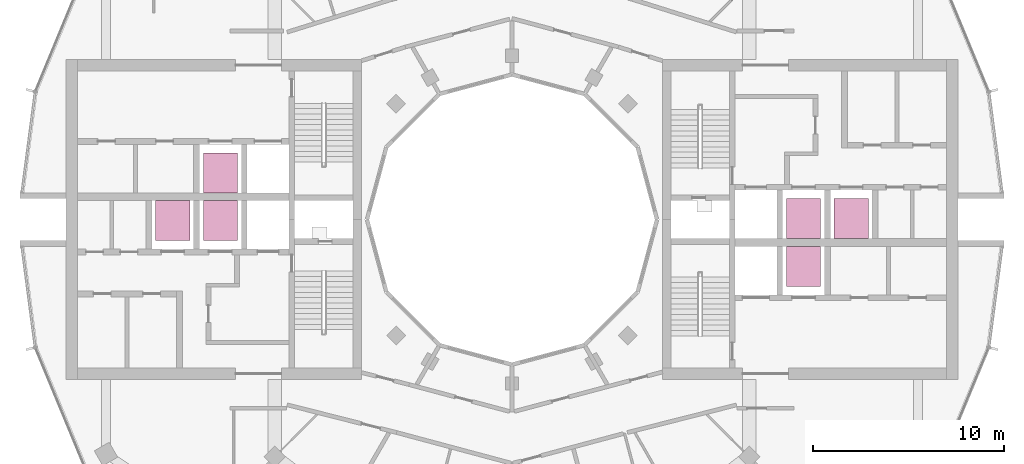
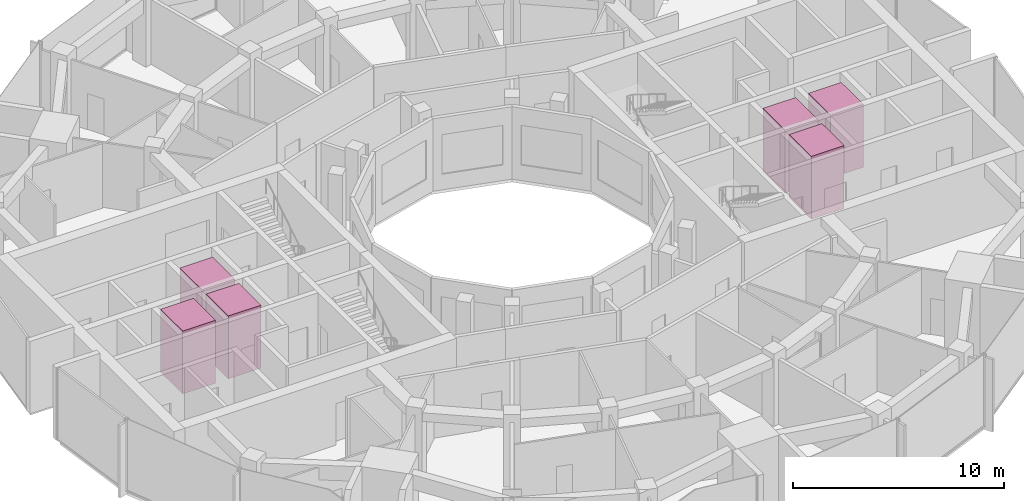
# One storey, part 15 of 15: 6 transport elements.
"""IFC4 building model written with IfcOpenShell, lengths in metres."""

from ifc_helpers import new_model, si_unit, direction, frame, origin, origin_2d, place, context, subcontext, project, spatial, rectangle, extrude, material, type_object, element, save


model = new_model("IFC4")

# Units and contexts
model_context = context("Model", 3, precision=1e-05, world=origin(), true_north=direction((0.0, 1.0)))
body_context = subcontext(model_context, "Body", "Model", "MODEL_VIEW")
ifc_project = project(units=[si_unit("LENGTHUNIT", "METRE"), si_unit("AREAUNIT", "SQUARE_METRE"), si_unit("VOLUMEUNIT", "CUBIC_METRE"), si_unit("PLANEANGLEUNIT", "RADIAN"), si_unit("MASSUNIT", "GRAM", prefix="KILO")], contexts=[model_context])

# Site, building, storey
site_placement = place(None, origin())
site = spatial("IfcSite", under=ifc_project, at=site_placement, CompositionType="ELEMENT")
building_placement = place(site_placement, origin())
building = spatial("IfcBuilding", under=site, at=building_placement, Name="Torre Brocal", CompositionType="ELEMENT")
storey_placement = place(building_placement, frame((0.0, 0.0, 241.5)))
storey = spatial("IfcBuildingStorey", under=building, at=storey_placement, Name="L55", CompositionType="ELEMENT", Elevation=241.5)

# Transport elements
ifc_material = material(Name="Stainless steel AISI 316", Category="steel")
transport_element_type = type_object("IfcTransportElementType", Name="PASSENGER LIFT", PredefinedType="ELEVATOR", material=ifc_material)
for number, where, z_axis, x_axis, name in (
    (1, (95.300048828125, 75.050048828125, 0.0), (0.0, 0.0, 1.0), (1.0, 0.0, 0.0), "HIGH RISE LIFT E-HR1"),
    (2, (95.300048828125, 72.550048828125, 0.0), (0.0, 0.0, 1.0), (1.0, 0.0, 0.0), "HIGH RISE LIFT E-HR2"),
    (3, (97.800048828125, 75.050048828125, 0.0), (0.0, 0.0, 1.0), (1.0, 0.0, 0.0), "HIGH RISE LIFT E-HR3"),
    (4, (64.699951171875, 74.949951171875, 0.0), (0.0, 0.0, 1.0), (1.0, 0.0, 0.0), "HIGH RISE LIFT W-HR1"),
    (5, (64.699951171875, 77.449951171875, 0.0), (0.0, 0.0, 1.0), (1.0, 0.0, 0.0), "HIGH RISE LIFT W-HR2"),
    (6, (62.199951171875, 74.949951171875, 0.0), (0.0, 0.0, 1.0), (1.0, 0.0, 0.0), "HIGH RISE LIFT W-HR3"),
):
    element("IfcTransportElement", number, at=place(storey_placement, frame(where, z_axis=z_axis, x_axis=x_axis)), inside=storey, type_object=transport_element_type, Name=name, PredefinedType="ELEVATOR", context=body_context, shape_type="SweptSolid", body=[
        extrude(rectangle(XDim=1.800048828125, YDim=2.10009765625, at=origin_2d()), origin(), (0.0, 0.0, 1.0), 3.64990234375),
    ])

save(model, "model.ifc")
